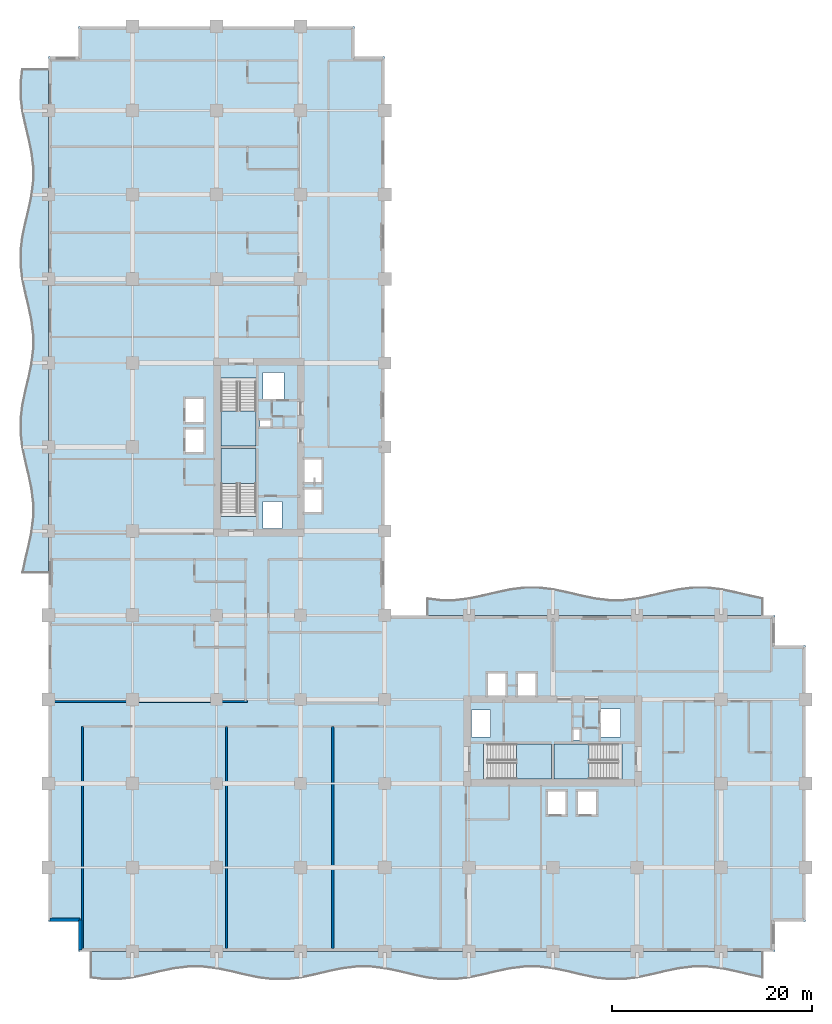
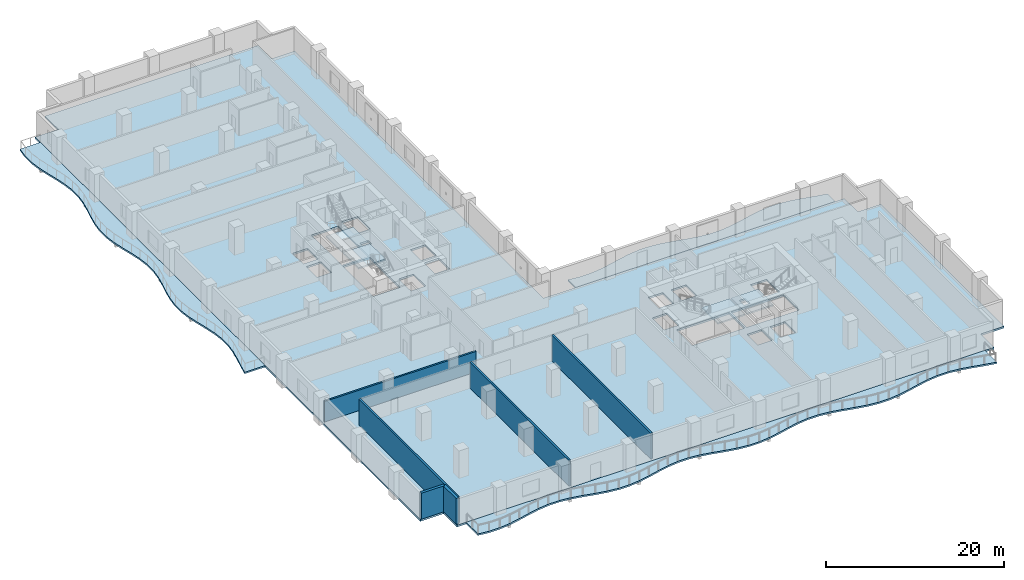
# One storey, part 3 of 18: 8 slabs, 6 walls, 4 elements without a shape of their own.
"""IFC4 building model written with IfcOpenShell, lengths in metres."""

from ifc_helpers import new_model, si_unit, direction, frame, frame_2d, origin, place, context, subcontext, project, spatial, polyline, rectangle, outline, extrude, material, layer, layer_set, type_object, element, aggregate, save


model = new_model("IFC4")

# Units and contexts
model_context = context("Model", 3, precision=1e-05, world=origin(), true_north=direction((0.0, 1.0)))
body_context = subcontext(model_context, "Body", "Model", "MODEL_VIEW")
ifc_project = project(units=[si_unit("LENGTHUNIT", "METRE"), si_unit("AREAUNIT", "SQUARE_METRE"), si_unit("VOLUMEUNIT", "CUBIC_METRE"), si_unit("PLANEANGLEUNIT", "RADIAN"), si_unit("MASSUNIT", "GRAM", prefix="KILO")], contexts=[model_context])

# Site, building, storey
site_placement = place(None, origin())
site = spatial("IfcSite", under=ifc_project, at=site_placement, CompositionType="ELEMENT")
building_placement = place(site_placement, origin())
building = spatial("IfcBuilding", under=site, at=building_placement, Name="Koriwani Terraces Tower", CompositionType="ELEMENT")
storey_placement = place(building_placement, frame((0.0, 0.0, 145.60009765625)))
storey = spatial("IfcBuildingStorey", under=building, at=storey_placement, Name="L35", CompositionType="ELEMENT", Elevation=145.60009765625)

# Slabs
ifc_material_1 = material(Name="Concrete C40/50", Category="concrete")
ifc_layer_1 = layer(ifc_material_1, 0.219970703125, Name="Concrete C40/50")
ifc_layer_set_1 = layer_set([ifc_layer_1], Name="Concrete C40/50")
slab_type_1 = type_object("IfcSlabType", Name="SLAB_BALCONY_220", PredefinedType="FLOOR", material=ifc_layer_set_1)
slab_1_placement = place(storey_placement, frame((0.0, 0.0, -0.22021484375)))
element("IfcSlab", 1, at=slab_1_placement, inside=storey, type_object=slab_type_1, Name="L35 Quilted Circular-Arc Balcony (S)", PredefinedType="FLOOR", context=body_context, shape_type="SweptSolid", body=[
    extrude(outline(polyline([(4.199951171875, 0.0), (5.60009765625, 0.0), (7.0, 0.0), (8.39990234375, 0.0), (9.800048828125, 0.0), (11.199951171875, 0.0), (12.60009765625, 0.0), (14.0, 0.0), (15.39990234375, 0.0), (16.800048828125, 0.0), (18.199951171875, 0.0), (19.60009765625, 0.0), (21.0, 0.0), (22.39990234375, 0.0), (23.800048828125, 0.0), (25.199951171875, 0.0), (26.60009765625, 0.0), (28.0, 0.0), (29.39990234375, 0.0), (30.800048828125, 0.0), (32.199951171875, 0.0), (33.60009765625, 0.0), (35.0, 0.0), (36.39990234375, 0.0), (37.800048828125, 0.0), (39.199951171875, 0.0), (40.60009765625, 0.0), (42.0, 0.0), (43.39990234375, 0.0), (44.800048828125, 0.0), (46.199951171875, 0.0), (47.60009765625, 0.0), (49.0, 0.0), (50.39990234375, 0.0), (51.800048828125, 0.0), (53.199951171875, 0.0), (54.60009765625, 0.0), (56.0, 0.0), (57.39990234375, 0.0), (58.800048828125, 0.0), (60.199951171875, 0.0), (61.60009765625, 0.0), (63.0, 0.0), (64.39990234375, 0.0), (65.800048828125, 0.0), (67.199951171875, 0.0), (68.60009765625, 0.0), (70.0, 0.0), (71.39990234375, 0.0), (71.39990234375, -2.65966796875), (70.0, -2.3681640625), (68.60009765625, -2.03173828125), (67.199951171875, -1.740478515625), (65.800048828125, -1.572021484375), (64.39990234375, -1.572021484375), (63.0, -1.740478515625), (61.60009765625, -2.03173828125), (60.199951171875, -2.3681640625), (58.800048828125, -2.65966796875), (57.39990234375, -2.827880859375), (56.0, -2.827880859375), (54.60009765625, -2.65966796875), (53.199951171875, -2.3681640625), (51.800048828125, -2.03173828125), (50.39990234375, -1.740478515625), (49.0, -1.572021484375), (47.60009765625, -1.572021484375), (46.199951171875, -1.740478515625), (44.800048828125, -2.03173828125), (43.39990234375, -2.3681640625), (42.0, -2.65966796875), (40.60009765625, -2.827880859375), (39.199951171875, -2.827880859375), (37.800048828125, -2.65966796875), (36.39990234375, -2.3681640625), (35.0, -2.03173828125), (33.60009765625, -1.740478515625), (32.199951171875, -1.572021484375), (30.800048828125, -1.572021484375), (29.39990234375, -1.740478515625), (28.0, -2.03173828125), (26.60009765625, -2.3681640625), (25.199951171875, -2.65966796875), (23.800048828125, -2.827880859375), (22.39990234375, -2.827880859375), (21.0, -2.65966796875), (19.60009765625, -2.3681640625), (18.199951171875, -2.03173828125), (16.800048828125, -1.740478515625), (15.39990234375, -1.572021484375), (14.0, -1.572021484375), (12.60009765625, -1.740478515625), (11.199951171875, -2.03173828125), (9.800048828125, -2.3681640625), (8.39990234375, -2.65966796875), (7.0, -2.827880859375), (5.60009765625, -2.827880859375), (4.199951171875, -2.65966796875), (4.199951171875, 0.0)])), origin(), (0.0, 0.0, 1.0), 0.22021484375),
])
slab_2_placement = place(storey_placement, frame((0.0, 0.0, -0.22021484375)))
element("IfcSlab", 2, at=slab_2_placement, inside=storey, type_object=slab_type_1, Name="L35 Quilted Circular-Arc Balcony (W)", PredefinedType="FLOOR", context=body_context, shape_type="SweptSolid", body=[
    extrude(outline(polyline([(0.0, 37.800048828125), (0.0, 39.199951171875), (0.0, 40.60009765625), (0.0, 42.0), (0.0, 43.39990234375), (0.0, 44.800048828125), (0.0, 46.199951171875), (0.0, 47.60009765625), (0.0, 49.0), (0.0, 50.39990234375), (0.0, 51.800048828125), (0.0, 53.199951171875), (0.0, 54.60009765625), (0.0, 56.0), (0.0, 57.39990234375), (0.0, 58.800048828125), (0.0, 60.199951171875), (0.0, 61.60009765625), (0.0, 63.0), (0.0, 64.39990234375), (0.0, 65.800048828125), (0.0, 67.199951171875), (0.0, 68.60009765625), (0.0, 70.0), (0.0, 71.39990234375), (0.0, 72.800048828125), (0.0, 74.199951171875), (0.0, 75.60009765625), (0.0, 77.0), (0.0, 78.39990234375), (0.0, 79.800048828125), (0.0, 81.199951171875), (0.0, 82.60009765625), (0.0, 84.0), (0.0, 85.39990234375), (0.0, 86.800048828125), (0.0, 88.199951171875), (-2.65966796875, 88.199951171875), (-2.827880859375, 86.800048828125), (-2.827880859375, 85.39990234375), (-2.65966796875, 84.0), (-2.3681640625, 82.60009765625), (-2.03173828125, 81.199951171875), (-1.740478515625, 79.800048828125), (-1.572021484375, 78.39990234375), (-1.572021484375, 77.0), (-1.740478515625, 75.60009765625), (-2.03173828125, 74.199951171875), (-2.3681640625, 72.800048828125), (-2.65966796875, 71.39990234375), (-2.827880859375, 70.0), (-2.827880859375, 68.60009765625), (-2.65966796875, 67.199951171875), (-2.3681640625, 65.800048828125), (-2.03173828125, 64.39990234375), (-1.740478515625, 63.0), (-1.572021484375, 61.60009765625), (-1.572021484375, 60.199951171875), (-1.740478515625, 58.800048828125), (-2.03173828125, 57.39990234375), (-2.3681640625, 56.0), (-2.65966796875, 54.60009765625), (-2.827880859375, 53.199951171875), (-2.827880859375, 51.800048828125), (-2.65966796875, 50.39990234375), (-2.3681640625, 49.0), (-2.03173828125, 47.60009765625), (-1.740478515625, 46.199951171875), (-1.572021484375, 44.800048828125), (-1.572021484375, 43.39990234375), (-1.740478515625, 42.0), (-2.03173828125, 40.60009765625), (-2.3681640625, 39.199951171875), (-2.65966796875, 37.800048828125), (0.0, 37.800048828125)])), origin(), (0.0, 0.0, 1.0), 0.22021484375),
])
slab_3_placement = place(storey_placement, frame((0.0, 0.0, -0.22021484375)))
element("IfcSlab", 3, at=slab_3_placement, inside=storey, type_object=slab_type_1, Name="L35 Quilted Circular-Arc Balcony (NE)", PredefinedType="FLOOR", context=body_context, shape_type="SweptSolid", body=[
    extrude(outline(polyline([(71.39990234375, 33.60009765625), (70.0, 33.60009765625), (68.60009765625, 33.60009765625), (67.199951171875, 33.60009765625), (65.800048828125, 33.60009765625), (64.39990234375, 33.60009765625), (63.0, 33.60009765625), (61.60009765625, 33.60009765625), (60.199951171875, 33.60009765625), (58.800048828125, 33.60009765625), (57.39990234375, 33.60009765625), (56.0, 33.60009765625), (54.60009765625, 33.60009765625), (53.199951171875, 33.60009765625), (51.800048828125, 33.60009765625), (50.39990234375, 33.60009765625), (49.0, 33.60009765625), (47.60009765625, 33.60009765625), (46.199951171875, 33.60009765625), (44.800048828125, 33.60009765625), (43.39990234375, 33.60009765625), (42.0, 33.60009765625), (40.60009765625, 33.60009765625), (39.199951171875, 33.60009765625), (37.800048828125, 33.60009765625), (37.800048828125, 35.34033203125), (39.199951171875, 35.172119140625), (40.60009765625, 35.172119140625), (42.0, 35.34033203125), (43.39990234375, 35.6318359375), (44.800048828125, 35.96826171875), (46.199951171875, 36.259521484375), (47.60009765625, 36.427978515625), (49.0, 36.427978515625), (50.39990234375, 36.259521484375), (51.800048828125, 35.96826171875), (53.199951171875, 35.6318359375), (54.60009765625, 35.34033203125), (56.0, 35.172119140625), (57.39990234375, 35.172119140625), (58.800048828125, 35.34033203125), (60.199951171875, 35.6318359375), (61.60009765625, 35.96826171875), (63.0, 36.259521484375), (64.39990234375, 36.427978515625), (65.800048828125, 36.427978515625), (67.199951171875, 36.259521484375), (68.60009765625, 35.96826171875), (70.0, 35.6318359375), (71.39990234375, 35.34033203125), (71.39990234375, 33.60009765625)])), origin(), (0.0, 0.0, 1.0), 0.22021484375),
])

# Stair, slab
stair_type = type_object("IfcStairType", Name="STAIR_CORE_DOGLEG_1650", PredefinedType="TWO_STRAIGHT_RUN_STAIR", material=ifc_material_1)
stair_1_placement = place(storey_placement, origin())
stair_1 = element("IfcStair", 4, at=stair_1_placement, inside=storey, type_object=stair_type, Name="L35 West Core Exit Stair 1", PredefinedType="HALF_TURN_STAIR")
ifc_layer_2 = layer(ifc_material_1, 0.199951171875, Name="Concrete C40/50")
ifc_layer_set_2 = layer_set([ifc_layer_2], Name="Concrete C40/50")
slab_type_2 = type_object("IfcSlabType", Name="SLAB_STAIR_LANDING_200", PredefinedType="LANDING", material=ifc_layer_set_2)
slab_4_placement = place(storey_placement, frame((0.0, 0.0, 1.699951171875)))
slab_4 = element("IfcSlab", 5, at=slab_4_placement, type_object=slab_type_2, Name="ST-W1 landing 1", PredefinedType="LANDING", context=body_context, shape_type="SweptSolid", body=[
    extrude(outline(polyline([(20.75, 46.75), (20.75, 50.25), (17.25, 50.25), (17.25, 46.75), (20.75, 46.75)])), origin(), (0.0, 0.0, 1.0), 0.199951171875),
])
aggregate(stair_1, [slab_4])

stair_2_placement = place(storey_placement, origin())
stair_2 = element("IfcStair", 6, at=stair_2_placement, inside=storey, type_object=stair_type, Name="L35 West Core Exit Stair 2", PredefinedType="HALF_TURN_STAIR")
slab_5_placement = place(storey_placement, frame((0.0, 0.0, 1.699951171875)))
slab_5 = element("IfcSlab", 7, at=slab_5_placement, type_object=slab_type_2, Name="ST-W2 landing 1", PredefinedType="LANDING", context=body_context, shape_type="SweptSolid", body=[
    extrude(outline(polyline([(17.25, 54.0), (17.25, 50.5), (20.75, 50.5), (20.75, 54.0), (17.25, 54.0)])), origin(), (0.0, 0.0, 1.0), 0.199951171875),
])
aggregate(stair_2, [slab_5])

stair_3_placement = place(storey_placement, origin())
stair_3 = element("IfcStair", 8, at=stair_3_placement, inside=storey, type_object=stair_type, Name="L35 East Core Exit Stair 1", PredefinedType="HALF_TURN_STAIR")
slab_6_placement = place(storey_placement, frame((0.0, 0.0, 1.699951171875)))
slab_6 = element("IfcSlab", 9, at=slab_6_placement, type_object=slab_type_2, Name="ST-E1 landing 1", PredefinedType="LANDING", context=body_context, shape_type="SweptSolid", body=[
    extrude(outline(polyline([(46.75, 17.25), (50.25, 17.25), (50.25, 20.75), (46.75, 20.75), (46.75, 17.25)])), origin(), (0.0, 0.0, 1.0), 0.199951171875),
])
aggregate(stair_3, [slab_6])

stair_4_placement = place(storey_placement, origin())
stair_4 = element("IfcStair", 10, at=stair_4_placement, inside=storey, type_object=stair_type, Name="L35 East Core Exit Stair 2", PredefinedType="HALF_TURN_STAIR")
slab_7_placement = place(storey_placement, frame((0.0, 0.0, 1.699951171875)))
slab_7 = element("IfcSlab", 11, at=slab_7_placement, type_object=slab_type_2, Name="ST-E2 landing 1", PredefinedType="LANDING", context=body_context, shape_type="SweptSolid", body=[
    extrude(outline(polyline([(54.0, 20.75), (50.5, 20.75), (50.5, 17.25), (54.0, 17.25), (54.0, 20.75)])), origin(), (0.0, 0.0, 1.0), 0.199951171875),
])
aggregate(stair_4, [slab_7])

# Slab
ifc_layer_3 = layer(ifc_material_1, 0.25, Name="Concrete C40/50")
ifc_layer_set_3 = layer_set([ifc_layer_3], Name="Concrete C40/50")
slab_type_3 = type_object("IfcSlabType", Name="SLAB_TOWER_TYP_250", PredefinedType="FLOOR", material=ifc_layer_set_3)
slab_8_placement = place(storey_placement, frame((0.0, 0.0, -0.25)))
element("IfcSlab", 12, at=slab_8_placement, inside=storey, type_object=slab_type_3, Name="L35 Structural Floor Slab", PredefinedType="FLOOR", context=body_context, shape_type="SweptSolid", body=[
    extrude(outline(polyline([(3.0, 0.0), (72.60009765625, 0.0), (72.60009765625, 3.0), (75.60009765625, 3.0), (75.60009765625, 30.60009765625), (72.60009765625, 30.60009765625), (72.60009765625, 33.60009765625), (33.60009765625, 33.60009765625), (33.60009765625, 89.39990234375), (30.60009765625, 89.39990234375), (30.60009765625, 92.39990234375), (3.0, 92.39990234375), (3.0, 89.39990234375), (0.0, 89.39990234375), (0.0, 3.0), (3.0, 3.0), (3.0, 0.0)]), holes=[polyline([(17.25, 43.4599609375), (20.75, 43.4599609375), (20.75, 50.25), (17.25, 50.25), (17.25, 43.4599609375)]), polyline([(17.25, 50.5), (20.75, 50.5), (20.75, 57.2900390625), (17.25, 57.2900390625), (17.25, 50.5)]), polyline([(43.4599609375, 17.25), (50.25, 17.25), (50.25, 20.75), (43.4599609375, 20.75), (43.4599609375, 17.25)]), polyline([(50.5, 17.25), (57.2900390625, 17.25), (57.2900390625, 20.75), (50.5, 20.75), (50.5, 17.25)]), polyline([(13.64990234375, 49.85009765625), (15.550048828125, 49.85009765625), (15.550048828125, 52.25), (13.64990234375, 52.25), (13.64990234375, 49.85009765625)]), polyline([(13.64990234375, 52.85009765625), (15.550048828125, 52.85009765625), (15.550048828125, 55.25), (13.64990234375, 55.25), (13.64990234375, 52.85009765625)]), polyline([(49.85009765625, 13.64990234375), (51.75, 13.64990234375), (51.75, 16.050048828125), (49.85009765625, 16.050048828125), (49.85009765625, 13.64990234375)]), polyline([(52.85009765625, 13.64990234375), (54.75, 13.64990234375), (54.75, 16.050048828125), (52.85009765625, 16.050048828125), (52.85009765625, 13.64990234375)]), polyline([(25.449951171875, 43.85009765625), (27.35009765625, 43.85009765625), (27.35009765625, 46.25), (25.449951171875, 46.25), (25.449951171875, 43.85009765625)]), polyline([(25.449951171875, 46.85009765625), (27.35009765625, 46.85009765625), (27.35009765625, 49.25), (25.449951171875, 49.25), (25.449951171875, 46.85009765625)]), polyline([(43.85009765625, 25.449951171875), (45.75, 25.449951171875), (45.75, 27.85009765625), (43.85009765625, 27.85009765625), (43.85009765625, 25.449951171875)]), polyline([(46.85009765625, 25.449951171875), (48.75, 25.449951171875), (48.75, 27.85009765625), (46.85009765625, 27.85009765625), (46.85009765625, 25.449951171875)]), polyline([(21.449951171875, 55.050048828125), (23.550048828125, 55.050048828125), (23.550048828125, 57.85009765625), (21.449951171875, 57.85009765625), (21.449951171875, 55.050048828125)]), polyline([(55.050048828125, 21.449951171875), (57.14990234375, 21.449951171875), (57.14990234375, 24.25), (55.050048828125, 24.25), (55.050048828125, 21.449951171875)]), polyline([(21.449951171875, 42.25), (23.35009765625, 42.25), (23.35009765625, 44.949951171875), (21.449951171875, 44.949951171875), (21.449951171875, 42.25)]), polyline([(42.25, 21.449951171875), (44.14990234375, 21.449951171875), (44.14990234375, 24.14990234375), (42.25, 24.14990234375), (42.25, 21.449951171875)]), polyline([(21.14990234375, 52.419921875), (22.219970703125, 52.419921875), (22.219970703125, 53.179931640625), (21.14990234375, 53.179931640625), (21.14990234375, 52.419921875)]), polyline([(52.419921875, 21.14990234375), (53.179931640625, 21.14990234375), (53.179931640625, 22.219970703125), (52.419921875, 22.219970703125), (52.419921875, 21.14990234375)])]), origin(), (0.0, 0.0, 1.0), 0.25),
])

# Walls
ifc_material_2 = material(Name="Autoclaved Cellular Concrete Blockwork", Category="masonry")
ifc_layer_4 = layer(ifc_material_2, 0.219970703125, Name="Autoclaved Cellular Concrete Blockwork")
ifc_layer_set_4 = layer_set([ifc_layer_4], Name="Autoclaved Cellular Concrete Blockwork")
wall_type_1 = type_object("IfcWallType", Name="WALL_DEMISING_220", PredefinedType="PARTITIONING", material=ifc_layer_set_4)
for number, where, z_axis, x_axis, name in (
    (13, (3.39990234375, 0.300048828125, 0.0), (0.0, 0.0, 1.0), (0.0, 1.0, 0.0), "L35 Interior Wall WC2CLBW0-L35"),
    (14, (17.800048828125, 0.300048828125, 0.0), (0.0, 0.0, 1.0), (0.0, 1.0, 0.0), "L35 Interior Wall WC2CLBW-L35"),
    (15, (28.39990234375, 0.300048828125, 0.0), (0.0, 0.0, 1.0), (0.0, 1.0, 0.0), "L35 Interior Wall WC2CLBM-L35"),
):
    element("IfcWall", number, at=place(storey_placement, frame(where, z_axis=z_axis, x_axis=x_axis)), inside=storey, type_object=wall_type_1, Name=name, PredefinedType="PARTITIONING", context=body_context, shape_type="SweptSolid", body=[
        extrude(rectangle(XDim=22.199951171875, YDim=0.219970703125, at=frame_2d((11.10009765625, 0.0))), origin(), (0.0, 0.0, 1.0), 3.5498046875),
    ])
wall_placement = place(storey_placement, frame((0.199951171875, 25.0, 0.0), z_axis=(0.0, 0.0, 1.0), x_axis=(1.0, 0.0, 0.0)))
element("IfcWall", 16, at=wall_placement, inside=storey, type_object=wall_type_1, Name="L35 Interior Wall WDEM-L35-NW-0", PredefinedType="PARTITIONING", context=body_context, shape_type="SweptSolid", body=[
    extrude(rectangle(XDim=19.679931640625, YDim=0.219970703125, at=frame_2d((9.83984375, 0.0))), origin(), (0.0, 0.0, 1.0), 2.7998046875),
])
ifc_material_3 = material(Name="Concrete C50/60", Category="concrete")
ifc_layer_5 = layer(ifc_material_3, 0.35009765625, Name="Concrete C50/60")
ifc_layer_set_5 = layer_set([ifc_layer_5], Name="Concrete C50/60")
wall_type_2 = type_object("IfcWallType", Name="WALL_EXT_BRUTALIST_350", PredefinedType="STANDARD", material=ifc_layer_set_5)
for number, where, z_axis, x_axis, name in (
    (17, (3.175048828125, 0.175048828125, 0.0), (0.0, 0.0, 1.0), (0.0, 1.0, 0.0), "L35 Fair-Faced Brutalist Exterior Wall (N0)"),
    (18, (3.175048828125, 3.175048828125, 0.0), (0.0, 0.0, 1.0), (-1.0, 0.0, 0.0), "L35 Fair-Faced Brutalist Exterior Wall (N1)"),
):
    element("IfcWall", number, at=place(storey_placement, frame(where, z_axis=z_axis, x_axis=x_axis)), inside=storey, type_object=wall_type_2, Name=name, PredefinedType="STANDARD", context=body_context, shape_type="SweptSolid", body=[
        extrude(rectangle(XDim=3.0, YDim=0.35009765625, at=frame_2d((1.5, 0.0))), origin(), (0.0, 0.0, 1.0), 3.5498046875),
    ])

save(model, "model.ifc")
